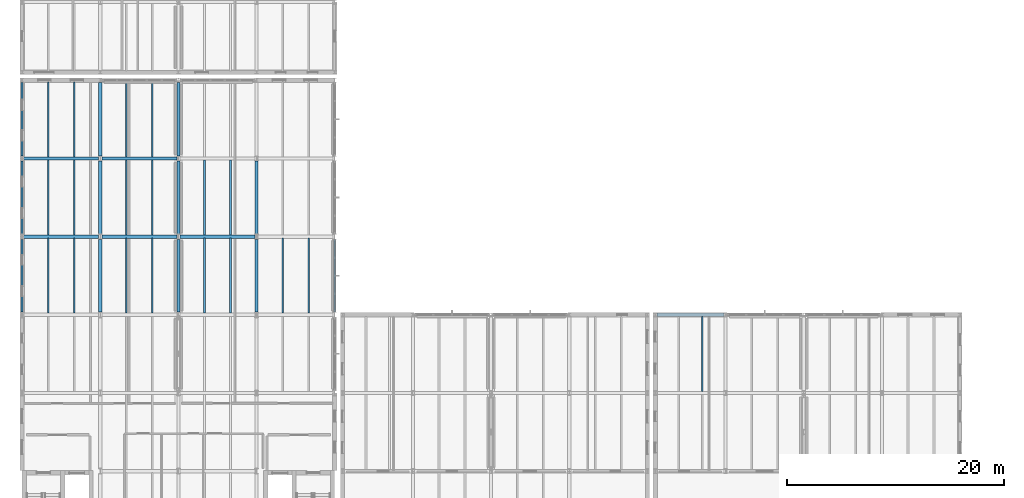
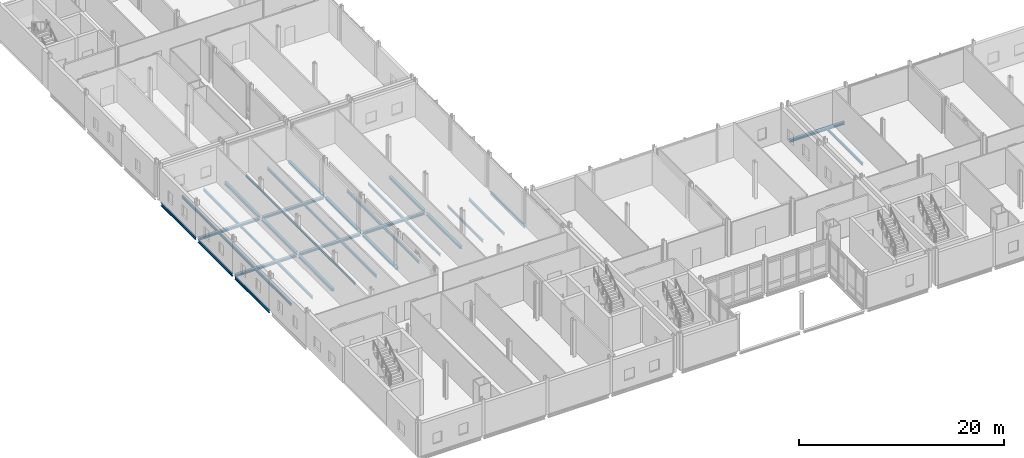
# One storey, part 17 of 76: 37 beams.
"""IFC4 building model written with IfcOpenShell, lengths in metres."""

from ifc_helpers import new_model, si_unit, direction, frame, origin, origin_2d, place, context, subcontext, project, spatial, i_section, extrude, material, material_profile, profile_set, type_object, element, save


model = new_model("IFC4")

# Units and contexts
model_context = context("Model", 3, precision=1e-05, world=origin(), true_north=direction((0.0, 1.0)))
body_context = subcontext(model_context, "Body", "Model", "MODEL_VIEW")
ifc_project = project(units=[si_unit("LENGTHUNIT", "METRE"), si_unit("AREAUNIT", "SQUARE_METRE"), si_unit("VOLUMEUNIT", "CUBIC_METRE"), si_unit("PLANEANGLEUNIT", "RADIAN"), si_unit("MASSUNIT", "GRAM", prefix="KILO")], contexts=[model_context])

# Site, building, storey
site_placement = place(None, origin())
site = spatial("IfcSite", under=ifc_project, at=site_placement, CompositionType="ELEMENT")
building_placement = place(site_placement, origin())
building = spatial("IfcBuilding", under=site, at=building_placement, Name="Zarrinpeak Specialist Clinic", CompositionType="ELEMENT")
storey_placement = place(building_placement, frame((0.0, 0.0, 5.199951171875)))
storey = spatial("IfcBuildingStorey", under=building, at=storey_placement, Name="L01", CompositionType="ELEMENT", Elevation=5.199951171875)

# Beams
ifc_material = material(Name="Steel S355", Category="steel")
ifc_material_profile_1 = material_profile(ifc_material, i_section(OverallWidth=0.300048828125, OverallDepth=0.2900390625, WebThickness=0.008544921875, FlangeThickness=0.013916015625, FilletRadius=0.027099609375, at=origin_2d()), Name="HEA 300")
ifc_profile_set_1 = profile_set([ifc_material_profile_1], Name="Steel S355")
beam_type_1 = type_object("IfcBeamType", Name="BM-HEA300", PredefinedType="BEAM", material=ifc_profile_set_1)
beam_1_placement = place(storey_placement, frame((58.468017578125, 28.800048828125, -0.375), z_axis=(1.0, 0.0, 0.0), x_axis=(0.0, 1.0, 0.0)))
element("IfcBeam", 1, at=beam_1_placement, inside=storey, type_object=beam_type_1, Name="L01 Primary Floor Girder BM-L01-X0759", PredefinedType="BEAM", context=body_context, shape_type="SweptSolid", body=[
    extrude(i_section(OverallWidth=0.300048828125, OverallDepth=0.2900390625, WebThickness=0.008544921875, FlangeThickness=0.013916015625, FilletRadius=0.027099609375, at=origin_2d()), origin(), (0.0, 0.0, 1.0), 6.18408203125),
])
for number, where, z_axis, x_axis, name in (
    (2, (0.14794921875, 36.0, -0.375), (1.0, 0.0, 0.0), (0.0, 1.0, 0.0), "L01 Primary Floor Girder BM-L01-X0765"),
    (3, (7.347900390625, 36.0, -0.375), (1.0, 0.0, 0.0), (0.0, 1.0, 0.0), "L01 Primary Floor Girder BM-L01-X0766"),
):
    element("IfcBeam", number, at=place(storey_placement, frame(where, z_axis=z_axis, x_axis=x_axis)), inside=storey, type_object=beam_type_1, Name=name, PredefinedType="BEAM", context=body_context, shape_type="SweptSolid", body=[
        extrude(i_section(OverallWidth=0.300048828125, OverallDepth=0.2900390625, WebThickness=0.008544921875, FlangeThickness=0.013916015625, FilletRadius=0.027099609375, at=origin_2d()), origin(), (0.0, 0.0, 1.0), 6.904052734375),
    ])
beam_2_placement = place(storey_placement, frame((14.548095703125, 36.0, -0.375), z_axis=(1.0, 0.0, 0.0), x_axis=(0.0, 1.0, 0.0)))
element("IfcBeam", 4, at=beam_2_placement, inside=storey, type_object=beam_type_1, Name="L01 Primary Floor Girder BM-L01-X0767", PredefinedType="BEAM", context=body_context, shape_type="SweptSolid", body=[
    extrude(i_section(OverallWidth=0.300048828125, OverallDepth=0.2900390625, WebThickness=0.008544921875, FlangeThickness=0.013916015625, FilletRadius=0.027099609375, at=origin_2d()), origin(), (0.0, 0.0, 1.0), 6.90380859375),
])
for number, where, z_axis, x_axis, name in (
    (5, (0.14794921875, 43.199951171875, -0.375), (1.0, 0.0, 0.0), (0.0, 1.0, 0.0), "L01 Primary Floor Girder BM-L01-X0770"),
    (6, (7.347900390625, 43.199951171875, -0.375), (1.0, 0.0, 0.0), (0.0, 1.0, 0.0), "L01 Primary Floor Girder BM-L01-X0771"),
):
    element("IfcBeam", number, at=place(storey_placement, frame(where, z_axis=z_axis, x_axis=x_axis)), inside=storey, type_object=beam_type_1, Name=name, PredefinedType="BEAM", context=body_context, shape_type="SweptSolid", body=[
        extrude(i_section(OverallWidth=0.300048828125, OverallDepth=0.2900390625, WebThickness=0.008544921875, FlangeThickness=0.013916015625, FilletRadius=0.027099609375, at=origin_2d()), origin(), (0.0, 0.0, 1.0), 6.904052734375),
    ])
for number, where, z_axis, x_axis, name in (
    (7, (7.199951171875, 29.048095703125, -0.375), (0.0, 1.0, 0.0), (-1.0, 0.0, 0.0), "L01 Primary Beam BM-L01-Y0842"),
    (8, (7.199951171875, 36.248046875, -0.375), (0.0, 1.0, 0.0), (-1.0, 0.0, 0.0), "L01 Primary Beam BM-L01-Y0843"),
):
    element("IfcBeam", number, at=place(storey_placement, frame(where, z_axis=z_axis, x_axis=x_axis)), inside=storey, type_object=beam_type_1, Name=name, PredefinedType="BEAM", context=body_context, shape_type="SweptSolid", body=[
        extrude(i_section(OverallWidth=0.300048828125, OverallDepth=0.2900390625, WebThickness=0.008544921875, FlangeThickness=0.013916015625, FilletRadius=0.027099609375, at=origin_2d()), origin(), (0.0, 0.0, 1.0), 6.703857421875),
    ])
beam_3_placement = place(storey_placement, frame((7.199951171875, 43.447998046875, -0.375), z_axis=(0.0, 1.0, 0.0), x_axis=(-1.0, 0.0, 0.0)))
element("IfcBeam", 9, at=beam_3_placement, inside=storey, type_object=beam_type_1, Name="L01 Primary Beam BM-L01-Y0844", PredefinedType="BEAM", context=body_context, shape_type="SweptSolid", body=[
    extrude(i_section(OverallWidth=0.300048828125, OverallDepth=0.2900390625, WebThickness=0.008544921875, FlangeThickness=0.013916015625, FilletRadius=0.027099609375, at=origin_2d()), origin(), (0.0, 0.0, 1.0), 6.72900390625),
])
for number, where, z_axis, x_axis, name in (
    (10, (14.39990234375, 29.048095703125, -0.375), (0.0, 1.0, 0.0), (-1.0, 0.0, 0.0), "L01 Primary Beam BM-L01-Y0854"),
    (11, (14.39990234375, 36.248046875, -0.375), (0.0, 1.0, 0.0), (-1.0, 0.0, 0.0), "L01 Primary Beam BM-L01-Y0855"),
):
    element("IfcBeam", number, at=place(storey_placement, frame(where, z_axis=z_axis, x_axis=x_axis)), inside=storey, type_object=beam_type_1, Name=name, PredefinedType="BEAM", context=body_context, shape_type="SweptSolid", body=[
        extrude(i_section(OverallWidth=0.300048828125, OverallDepth=0.2900390625, WebThickness=0.008544921875, FlangeThickness=0.013916015625, FilletRadius=0.027099609375, at=origin_2d()), origin(), (0.0, 0.0, 1.0), 6.703857421875),
    ])
beam_4_placement = place(storey_placement, frame((14.39990234375, 43.447998046875, -0.375), z_axis=(0.0, 1.0, 0.0), x_axis=(-1.0, 0.0, 0.0)))
element("IfcBeam", 12, at=beam_4_placement, inside=storey, type_object=beam_type_1, Name="L01 Primary Beam BM-L01-Y0856", PredefinedType="BEAM", context=body_context, shape_type="SweptSolid", body=[
    extrude(i_section(OverallWidth=0.300048828125, OverallDepth=0.2900390625, WebThickness=0.008544921875, FlangeThickness=0.013916015625, FilletRadius=0.027099609375, at=origin_2d()), origin(), (0.0, 0.0, 1.0), 6.72900390625),
])
for number, where, z_axis, x_axis, name in (
    (13, (21.60009765625, 29.048095703125, -0.375), (0.0, 1.0, 0.0), (-1.0, 0.0, 0.0), "L01 Primary Beam BM-L01-Y0866"),
    (14, (21.60009765625, 36.248046875, -0.375), (0.0, 1.0, 0.0), (-1.0, 0.0, 0.0), "L01 Primary Beam BM-L01-Y0867"),
):
    element("IfcBeam", number, at=place(storey_placement, frame(where, z_axis=z_axis, x_axis=x_axis)), inside=storey, type_object=beam_type_1, Name=name, PredefinedType="BEAM", context=body_context, shape_type="SweptSolid", body=[
        extrude(i_section(OverallWidth=0.300048828125, OverallDepth=0.2900390625, WebThickness=0.008544921875, FlangeThickness=0.013916015625, FilletRadius=0.027099609375, at=origin_2d()), origin(), (0.0, 0.0, 1.0), 6.703857421875),
    ])
ifc_material_profile_2 = material_profile(ifc_material, i_section(OverallWidth=0.14990234375, OverallDepth=0.300048828125, WebThickness=0.007080078125, FlangeThickness=0.0107421875, FilletRadius=0.014892578125, at=origin_2d()), Name="IPE 300")
ifc_profile_set_2 = profile_set([ifc_material_profile_2], Name="Steel S355")
beam_type_2 = type_object("IfcBeamType", Name="BM-JST300", PredefinedType="JOIST", material=ifc_profile_set_2)
for number, where, z_axis, x_axis, name in (
    (15, (2.39990234375, 28.947998046875, -0.3798828125), (0.0, 1.0, 0.0), (-1.0, 0.0, 0.0), "L01 Composite Floor Joist JST-L01-0947"),
    (16, (4.800048828125, 28.947998046875, -0.3798828125), (0.0, 1.0, 0.0), (-1.0, 0.0, 0.0), "L01 Composite Floor Joist JST-L01-0948"),
    (17, (2.39990234375, 36.14794921875, -0.3798828125), (0.0, 1.0, 0.0), (-1.0, 0.0, 0.0), "L01 Composite Floor Joist JST-L01-0949"),
    (18, (4.800048828125, 36.14794921875, -0.3798828125), (0.0, 1.0, 0.0), (-1.0, 0.0, 0.0), "L01 Composite Floor Joist JST-L01-0950"),
    (19, (2.39990234375, 43.347900390625, -0.3798828125), (0.0, 1.0, 0.0), (-1.0, 0.0, 0.0), "L01 Composite Floor Joist JST-L01-0951"),
    (20, (4.800048828125, 43.347900390625, -0.3798828125), (0.0, 1.0, 0.0), (-1.0, 0.0, 0.0), "L01 Composite Floor Joist JST-L01-0952"),
    (21, (9.60009765625, 28.947998046875, -0.3798828125), (0.0, 1.0, 0.0), (-1.0, 0.0, 0.0), "L01 Composite Floor Joist JST-L01-0961"),
    (22, (12.0, 28.947998046875, -0.3798828125), (0.0, 1.0, 0.0), (-1.0, 0.0, 0.0), "L01 Composite Floor Joist JST-L01-0962"),
    (23, (9.60009765625, 36.14794921875, -0.3798828125), (0.0, 1.0, 0.0), (-1.0, 0.0, 0.0), "L01 Composite Floor Joist JST-L01-0963"),
    (24, (12.0, 36.14794921875, -0.3798828125), (0.0, 1.0, 0.0), (-1.0, 0.0, 0.0), "L01 Composite Floor Joist JST-L01-0964"),
    (25, (9.60009765625, 43.347900390625, -0.3798828125), (0.0, 1.0, 0.0), (-1.0, 0.0, 0.0), "L01 Composite Floor Joist JST-L01-0965"),
    (26, (12.0, 43.347900390625, -0.3798828125), (0.0, 1.0, 0.0), (-1.0, 0.0, 0.0), "L01 Composite Floor Joist JST-L01-0966"),
    (27, (16.800048828125, 28.947998046875, -0.3798828125), (0.0, 1.0, 0.0), (-1.0, 0.0, 0.0), "L01 Composite Floor Joist JST-L01-0975"),
    (28, (19.199951171875, 28.947998046875, -0.3798828125), (0.0, 1.0, 0.0), (-1.0, 0.0, 0.0), "L01 Composite Floor Joist JST-L01-0976"),
    (29, (16.800048828125, 36.14794921875, -0.3798828125), (0.0, 1.0, 0.0), (-1.0, 0.0, 0.0), "L01 Composite Floor Joist JST-L01-0977"),
    (30, (19.199951171875, 36.14794921875, -0.3798828125), (0.0, 1.0, 0.0), (-1.0, 0.0, 0.0), "L01 Composite Floor Joist JST-L01-0978"),
    (31, (24.0, 28.947998046875, -0.3798828125), (0.0, 1.0, 0.0), (-1.0, 0.0, 0.0), "L01 Composite Floor Joist JST-L01-0983"),
    (32, (26.39990234375, 28.947998046875, -0.3798828125), (0.0, 1.0, 0.0), (-1.0, 0.0, 0.0), "L01 Composite Floor Joist JST-L01-0984"),
    (33, (62.639892578125, 21.748046875, -0.3798828125), (0.0, 1.0, 0.0), (-1.0, 0.0, 0.0), "L01 Composite Floor Joist JST-L01-1012"),
):
    element("IfcBeam", number, at=place(storey_placement, frame(where, z_axis=z_axis, x_axis=x_axis)), inside=storey, type_object=beam_type_2, Name=name, PredefinedType="JOIST", context=body_context, shape_type="SweptSolid", body=[
        extrude(i_section(OverallWidth=0.14990234375, OverallDepth=0.300048828125, WebThickness=0.007080078125, FlangeThickness=0.0107421875, FilletRadius=0.014892578125, at=origin_2d()), origin(), (0.0, 0.0, 1.0), 6.904052734375),
    ])
ifc_material_profile_3 = material_profile(ifc_material, i_section(OverallWidth=0.169921875, OverallDepth=0.360107421875, WebThickness=0.008056640625, FlangeThickness=0.0126953125, FilletRadius=0.01806640625, at=origin_2d()), Name="IPE 360")
ifc_profile_set_3 = profile_set([ifc_material_profile_3], Name="Steel S355")
beam_type_3 = type_object("IfcBeamType", Name="BM-SP360", PredefinedType="SPANDREL", material=ifc_profile_set_3)
for number, where, z_axis, x_axis, name in (
    (34, (0.0, 29.048095703125, -0.409912109375), (0.0, 1.0, 0.0), (-1.0, 0.0, 0.0), "L01 Perimeter Spandrel Beam BM-L01-Y0832"),
    (35, (0.0, 36.248046875, -0.409912109375), (0.0, 1.0, 0.0), (-1.0, 0.0, 0.0), "L01 Perimeter Spandrel Beam BM-L01-Y0833"),
):
    element("IfcBeam", number, at=place(storey_placement, frame(where, z_axis=z_axis, x_axis=x_axis)), inside=storey, type_object=beam_type_3, Name=name, PredefinedType="SPANDREL", context=body_context, shape_type="SweptSolid", body=[
        extrude(i_section(OverallWidth=0.169921875, OverallDepth=0.360107421875, WebThickness=0.008056640625, FlangeThickness=0.0126953125, FilletRadius=0.01806640625, at=origin_2d()), origin(), (0.0, 0.0, 1.0), 6.703857421875),
    ])
beam_5_placement = place(storey_placement, frame((0.0, 43.447998046875, -0.409912109375), z_axis=(0.0, 1.0, 0.0), x_axis=(-1.0, 0.0, 0.0)))
element("IfcBeam", 36, at=beam_5_placement, inside=storey, type_object=beam_type_3, Name="L01 Perimeter Spandrel Beam BM-L01-Y0834", PredefinedType="SPANDREL", context=body_context, shape_type="SweptSolid", body=[
    extrude(i_section(OverallWidth=0.169921875, OverallDepth=0.360107421875, WebThickness=0.008056640625, FlangeThickness=0.0126953125, FilletRadius=0.01806640625, at=origin_2d()), origin(), (0.0, 0.0, 1.0), 6.72900390625),
])
beam_6_placement = place(storey_placement, frame((28.800048828125, 29.048095703125, -0.409912109375), z_axis=(0.0, 1.0, 0.0), x_axis=(-1.0, 0.0, 0.0)))
element("IfcBeam", 37, at=beam_6_placement, inside=storey, type_object=beam_type_3, Name="L01 Perimeter Spandrel Beam BM-L01-Y0875", PredefinedType="SPANDREL", context=body_context, shape_type="SweptSolid", body=[
    extrude(i_section(OverallWidth=0.169921875, OverallDepth=0.360107421875, WebThickness=0.008056640625, FlangeThickness=0.0126953125, FilletRadius=0.01806640625, at=origin_2d()), origin(), (0.0, 0.0, 1.0), 6.703857421875),
])

save(model, "model.ifc")
